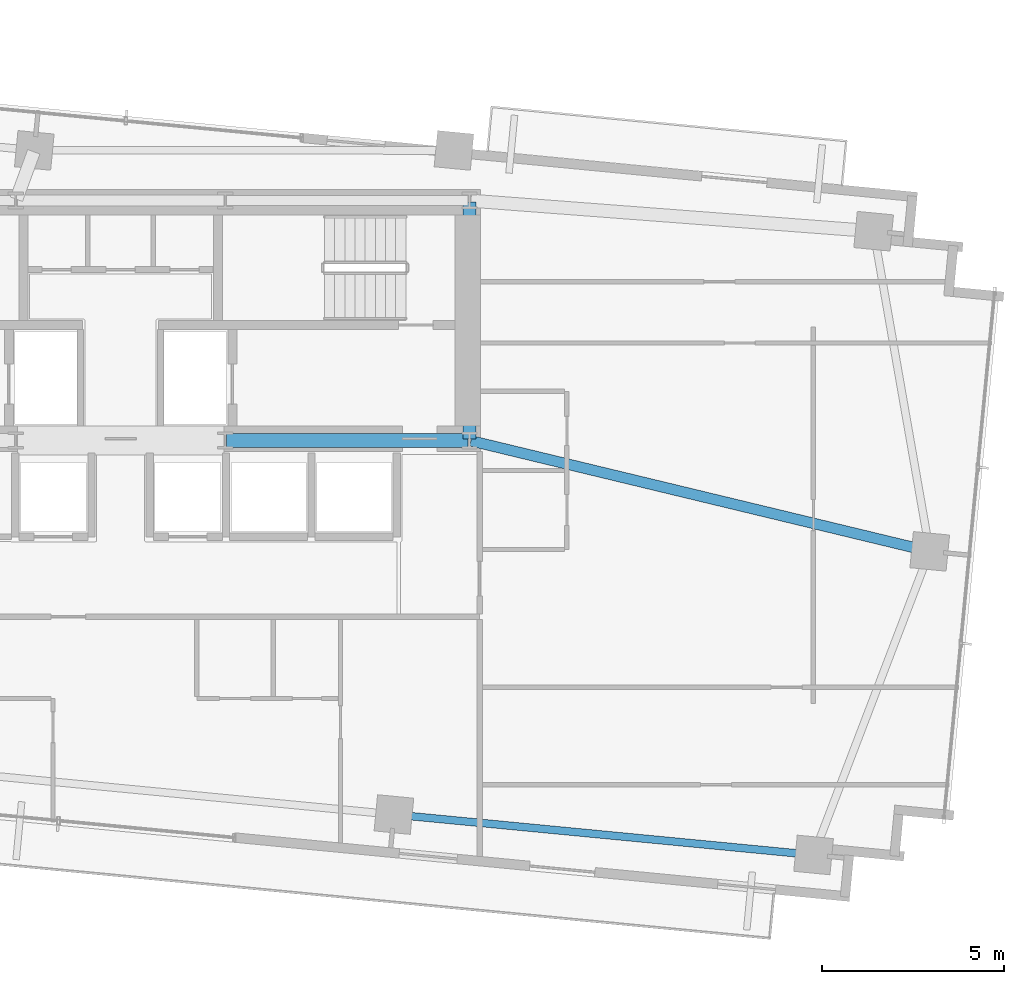
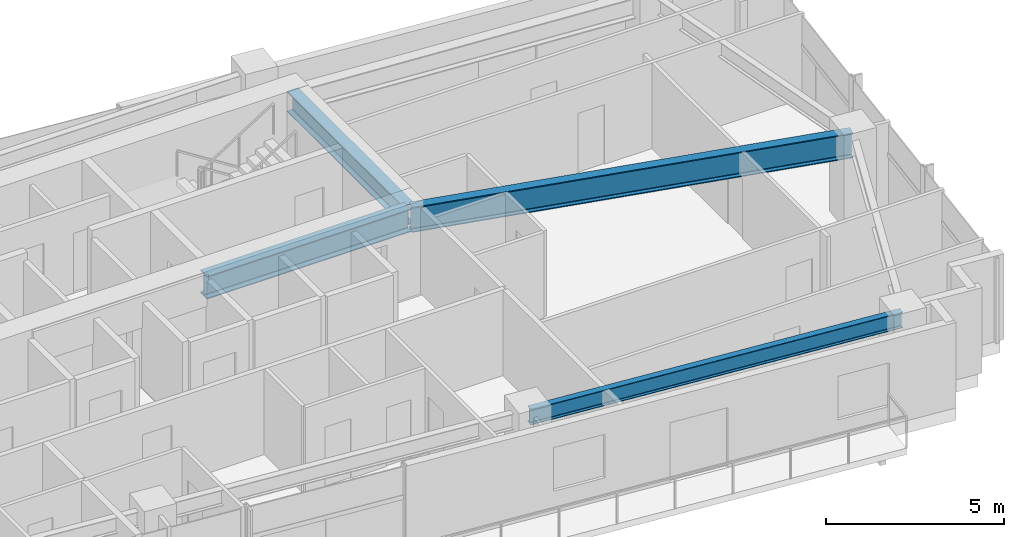
# One storey, part 9 of 19: 4 beams.
"""IFC4 building model written with IfcOpenShell, lengths in metres."""

from ifc_helpers import new_model, si_unit, direction, frame, origin, origin_2d, place, context, subcontext, project, spatial, i_section, extrude, source, transform, mapped, material, material_profile, profile_set, type_object, type_shapes, element, save


model = new_model("IFC4")

# Units and contexts
model_context = context("Model", 3, precision=1e-05, world=origin(), true_north=direction((0.0, 1.0)))
body_context = subcontext(model_context, "Body", "Model", "MODEL_VIEW")
ifc_project = project(units=[si_unit("LENGTHUNIT", "METRE"), si_unit("AREAUNIT", "SQUARE_METRE"), si_unit("VOLUMEUNIT", "CUBIC_METRE"), si_unit("PLANEANGLEUNIT", "RADIAN"), si_unit("MASSUNIT", "GRAM", prefix="KILO")], contexts=[model_context])

# Site, building, storey
site_placement = place(None, origin())
site = spatial("IfcSite", under=ifc_project, at=site_placement, CompositionType="ELEMENT")
building_placement = place(site_placement, origin())
building = spatial("IfcBuilding", under=site, at=building_placement, Name="Astriad Promenade Condominiums", CompositionType="ELEMENT")
storey_placement = place(building_placement, frame((0.0, 0.0, 124.60009765625)))
storey = spatial("IfcBuildingStorey", under=building, at=storey_placement, Name="L35", CompositionType="ELEMENT", Elevation=124.60009765625)

# Beams
ifc_material = material(Name="Steel ASTM A992 Grade 50", Category="steel")
ifc_material_profile_1 = material_profile(ifc_material, i_section(OverallWidth=0.3837890625, OverallDepth=0.785888671875, WebThickness=0.019775390625, FlangeThickness=0.033447265625, FilletRadius=0.021484375, at=origin_2d()), Name="W30X211")
ifc_profile_set_1 = profile_set([ifc_material_profile_1], Name="Steel ASTM A992 Grade 50")
beam_type_1 = type_object("IfcBeamType", Name="STEEL FLOOR GIRDER W30X211", PredefinedType="BEAM", material=ifc_profile_set_1)
shared_shape_1 = source(origin(), body_context, "Body", "SweptSolid", [
    extrude(i_section(OverallWidth=0.3837890625, OverallDepth=0.785888671875, WebThickness=0.019775390625, FlangeThickness=0.033447265625, FilletRadius=0.021484375, at=origin_2d()), origin(), (0.0, 0.0, 1.0), 6.64013671875),
])
type_shapes(beam_type_1, [shared_shape_1])
beam_1_placement = place(storey_placement, frame((38.919921875, 17.39990234375, 2.547119140625), z_axis=(1.0, 0.0, 0.0), x_axis=(0.0, 1.0, 0.0)))
element("IfcBeam", 1, at=beam_1_placement, inside=storey, type_object=beam_type_1, Name="Core Ring Beam CG-S3-L35", PredefinedType="BEAM", context=body_context, shape_type="MappedRepresentation", body=[
    mapped(shared_shape_1, transform((0.0, 0.0, 0.0), scale=1.0)),
])
ifc_material_profile_2 = material_profile(ifc_material, i_section(OverallWidth=0.35791015625, OverallDepth=0.706298828125, WebThickness=0.018310546875, FlangeThickness=0.0302734375, FilletRadius=0.020263671875, at=origin_2d()), Name="W27X178")
ifc_profile_set_2 = profile_set([ifc_material_profile_2], Name="Steel ASTM A992 Grade 50")
beam_type_2 = type_object("IfcBeamType", Name="STEEL FLOOR GIRDER W27X178", PredefinedType="BEAM", material=ifc_profile_set_2)
shared_shape_2 = source(origin(), body_context, "Body", "SweptSolid", [
    extrude(i_section(OverallWidth=0.35791015625, OverallDepth=0.706298828125, WebThickness=0.018310546875, FlangeThickness=0.0302734375, FilletRadius=0.020263671875, at=origin_2d()), origin(), (0.0, 0.0, 1.0), 6.52001953125),
])
type_shapes(beam_type_2, [shared_shape_2])
beam_2_placement = place(storey_placement, frame((45.60009765625, 17.43994140625, 2.586669921875), z_axis=(0.0, 1.0, 0.0), x_axis=(-1.0, 0.0, 0.0)))
element("IfcBeam", 2, at=beam_2_placement, inside=storey, type_object=beam_type_2, Name="Core Ring Beam CG-E1-L35", PredefinedType="BEAM", context=body_context, shape_type="MappedRepresentation", body=[
    mapped(shared_shape_2, transform((0.0, 0.0, 0.0), scale=1.0)),
])
ifc_material_profile_3 = material_profile(ifc_material, i_section(OverallWidth=0.210693359375, OverallDepth=0.53955078125, WebThickness=0.01171875, FlangeThickness=0.018798828125, FilletRadius=0.0166015625, at=origin_2d()), Name="W21X73")
ifc_profile_set_3 = profile_set([ifc_material_profile_3], Name="Steel ASTM A992 Grade 50")
beam_type_3 = type_object("IfcBeamType", Name="STEEL SPANDREL BEAM W21X73", PredefinedType="SPANDREL", material=ifc_profile_set_3)
shared_shape_3 = source(origin(), body_context, "Body", "SweptSolid", [
    extrude(i_section(OverallWidth=0.210693359375, OverallDepth=0.53955078125, WebThickness=0.01171875, FlangeThickness=0.018798828125, FilletRadius=0.0166015625, at=origin_2d()), origin(), (0.0, 0.0, 1.0), 11.519775390625),
])
type_shapes(beam_type_3, [shared_shape_3])
beam_3_placement = place(storey_placement, frame((43.560302734375, 7.10400390625, 2.670166015625), z_axis=(0.995397217389, -0.095835168988, 0.0), x_axis=(0.095835168988, 0.995397217389, 0.0)))
element("IfcBeam", 3, at=beam_3_placement, inside=storey, type_object=beam_type_3, Name="Perimeter Spandrel Beam SP-S4-L35", PredefinedType="SPANDREL", context=body_context, shape_type="MappedRepresentation", body=[
    mapped(shared_shape_3, transform((0.0, 0.0, 0.0), scale=1.0)),
])
ifc_material_profile_4 = material_profile(ifc_material, i_section(OverallWidth=0.2919921875, OverallDepth=0.85888671875, WebThickness=0.01708984375, FlangeThickness=0.031005859375, FilletRadius=0.02294921875, at=origin_2d()), Name="W33X169")
ifc_profile_set_4 = profile_set([ifc_material_profile_4], Name="Steel ASTM A992 Grade 50")
beam_type_4 = type_object("IfcBeamType", Name="STEEL PRIMARY GIRDER W33X169", PredefinedType="BEAM", material=ifc_profile_set_4)
shared_shape_4 = source(origin(), body_context, "Body", "SweptSolid", [
    extrude(i_section(OverallWidth=0.2919921875, OverallDepth=0.85888671875, WebThickness=0.01708984375, FlangeThickness=0.031005859375, FilletRadius=0.02294921875, at=origin_2d()), origin(), (0.0, 0.0, 1.0), 12.94482421875),
])
type_shapes(beam_type_4, [shared_shape_4])
beam_4_placement = place(storey_placement, frame((58.223388671875, 14.357666015625, 2.510498046875), z_axis=(-0.972164476402, 0.234299446908, 0.0), x_axis=(-0.234299446908, -0.972164476402, 0.0)))
element("IfcBeam", 4, at=beam_4_placement, inside=storey, type_object=beam_type_4, Name="Primary Floor Girder PG-EM-L35", PredefinedType="BEAM", context=body_context, shape_type="MappedRepresentation", body=[
    mapped(shared_shape_4, transform((0.0, 0.0, 0.0), scale=1.0)),
])

save(model, "model.ifc")
